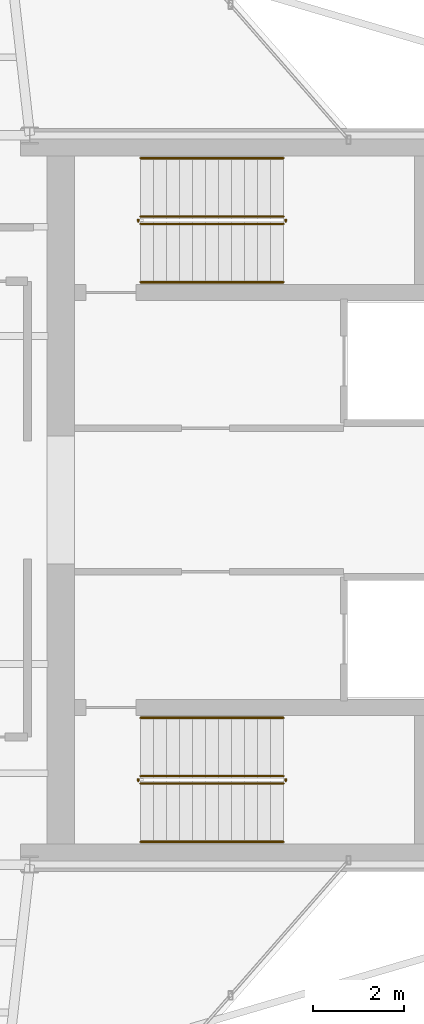
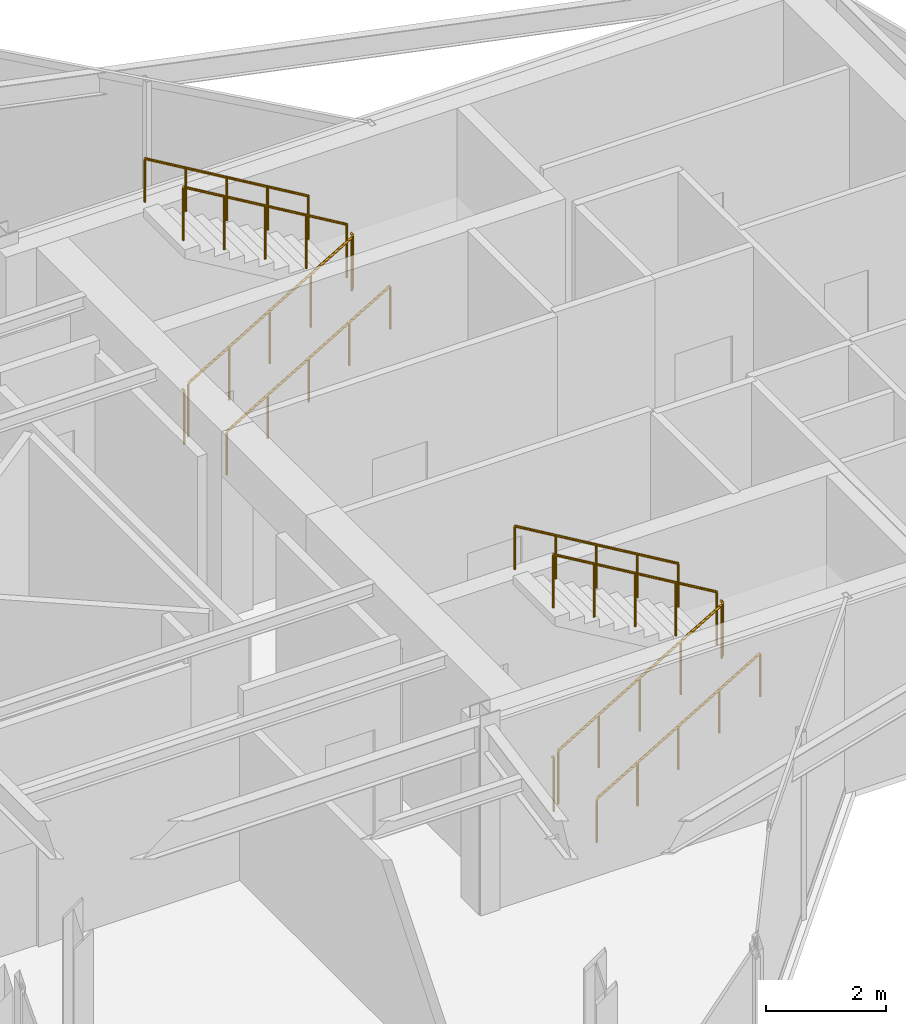
# One storey, part 15 of 15: 12 railings.
"""IFC4 building model written with IfcOpenShell, lengths in metres."""

from ifc_helpers import new_model, si_unit, direction, frame, origin, origin_2d, place, context, subcontext, project, spatial, circle, extrude, material, type_object, element, save


model = new_model("IFC4")

# Units and contexts
model_context = context("Model", 3, precision=1e-05, world=origin(), true_north=direction((0.0, 1.0)))
body_context = subcontext(model_context, "Body", "Model", "MODEL_VIEW")
ifc_project = project(units=[si_unit("LENGTHUNIT", "METRE"), si_unit("AREAUNIT", "SQUARE_METRE"), si_unit("VOLUMEUNIT", "CUBIC_METRE"), si_unit("PLANEANGLEUNIT", "RADIAN"), si_unit("MASSUNIT", "GRAM", prefix="KILO")], contexts=[model_context])

# Site, building, storey
site_placement = place(None, origin())
site = spatial("IfcSite", under=ifc_project, at=site_placement, CompositionType="ELEMENT")
building_placement = place(site_placement, origin())
building = spatial("IfcBuilding", under=site, at=building_placement, Name="Veymaron Broadcast Tower", CompositionType="ELEMENT")
storey_placement = place(building_placement, frame((0.0, 0.0, 266.85009765625)))
storey = spatial("IfcBuildingStorey", under=building, at=storey_placement, Name="L62", CompositionType="ELEMENT", Elevation=266.85009765625)

# Railings
ifc_material_1 = material(Name="Brushed stainless steel AISI 304", Category="steel")
railing_type_1 = type_object("IfcRailingType", Name="RAIL-STAIR-HR", PredefinedType="HANDRAIL", material=ifc_material_1)
railing_1_placement = place(storey_placement, frame((41.429931640625, 28.780029296875, 0.168701171875)))
element("IfcRailing", 1, at=railing_1_placement, inside=storey, type_object=railing_type_1, Name="L62 ST1 stair handrail 1", PredefinedType="HANDRAIL", context=body_context, shape_type="SweptSolid", body=[
    extrude(circle(Radius=0.02392578125, at=origin_2d()), frame((0.0, 0.0, 0.8759765625), z_axis=(0.860481960309, 0.0, 0.509480908359), x_axis=(0.0, 1.0, 0.0)), (0.0, 0.0, 1.0), 3.643310546875),
    extrude(circle(Radius=0.02099609375, at=origin_2d()), origin(), (0.0, 0.0, 1.0), 0.851806640625),
    extrude(circle(Radius=0.02099609375, at=origin_2d()), frame((0.78369140625, 0.0, 0.464111328125)), (0.0, 0.0, 1.0), 0.851806640625),
    extrude(circle(Radius=0.02099609375, at=origin_2d()), frame((1.5673828125, 0.0, 0.92822265625)), (0.0, 0.0, 1.0), 0.851806640625),
    extrude(circle(Radius=0.02099609375, at=origin_2d()), frame((2.351318359375, 0.0, 1.39208984375)), (0.0, 0.0, 1.0), 0.851806640625),
    extrude(circle(Radius=0.02099609375, at=origin_2d()), frame((3.135009765625, 0.0, 1.856201171875)), (0.0, 0.0, 1.0), 0.851806640625),
])
railing_2_placement = place(storey_placement, frame((44.56494140625, 31.5, 2.193603515625)))
element("IfcRailing", 2, at=railing_2_placement, inside=storey, type_object=railing_type_1, Name="L62 ST1 stair handrail 2", PredefinedType="HANDRAIL", context=body_context, shape_type="SweptSolid", body=[
    extrude(circle(Radius=0.02392578125, at=origin_2d()), frame((0.0, 0.0, 0.8759765625), z_axis=(-0.860481960309, 0.0, 0.509480908359), x_axis=(0.0, -1.0, 0.0)), (0.0, 0.0, 1.0), 3.643310546875),
    extrude(circle(Radius=0.02099609375, at=origin_2d()), origin(), (0.0, 0.0, 1.0), 0.851806640625),
    extrude(circle(Radius=0.02099609375, at=origin_2d()), frame((-0.78369140625, 0.0, 0.464111328125)), (0.0, 0.0, 1.0), 0.851806640625),
    extrude(circle(Radius=0.02099609375, at=origin_2d()), frame((-1.5673828125, 0.0, 0.92822265625)), (0.0, 0.0, 1.0), 0.851806640625),
    extrude(circle(Radius=0.02099609375, at=origin_2d()), frame((-2.351318359375, 0.0, 1.39208984375)), (0.0, 0.0, 1.0), 0.851806640625),
    extrude(circle(Radius=0.02099609375, at=origin_2d()), frame((-3.135009765625, 0.0, 1.856201171875)), (0.0, 0.0, 1.0), 0.851806640625),
])
railing_3_placement = place(storey_placement, frame((41.429931640625, 16.5, 0.168701171875)))
element("IfcRailing", 3, at=railing_3_placement, inside=storey, type_object=railing_type_1, Name="L62 ST2 stair handrail 1", PredefinedType="HANDRAIL", context=body_context, shape_type="SweptSolid", body=[
    extrude(circle(Radius=0.02392578125, at=origin_2d()), frame((0.0, 0.0, 0.8759765625), z_axis=(0.860481960309, 0.0, 0.509480908359), x_axis=(0.0, 1.0, 0.0)), (0.0, 0.0, 1.0), 3.643310546875),
    extrude(circle(Radius=0.02099609375, at=origin_2d()), origin(), (0.0, 0.0, 1.0), 0.851806640625),
    extrude(circle(Radius=0.02099609375, at=origin_2d()), frame((0.78369140625, 0.0, 0.464111328125)), (0.0, 0.0, 1.0), 0.851806640625),
    extrude(circle(Radius=0.02099609375, at=origin_2d()), frame((1.5673828125, 0.0, 0.92822265625)), (0.0, 0.0, 1.0), 0.851806640625),
    extrude(circle(Radius=0.02099609375, at=origin_2d()), frame((2.351318359375, 0.0, 1.39208984375)), (0.0, 0.0, 1.0), 0.851806640625),
    extrude(circle(Radius=0.02099609375, at=origin_2d()), frame((3.135009765625, 0.0, 1.856201171875)), (0.0, 0.0, 1.0), 0.851806640625),
])
railing_4_placement = place(storey_placement, frame((44.56494140625, 19.219970703125, 2.193603515625)))
element("IfcRailing", 4, at=railing_4_placement, inside=storey, type_object=railing_type_1, Name="L62 ST2 stair handrail 2", PredefinedType="HANDRAIL", context=body_context, shape_type="SweptSolid", body=[
    extrude(circle(Radius=0.02392578125, at=origin_2d()), frame((0.0, 0.0, 0.8759765625), z_axis=(-0.860481960309, 0.0, 0.509480908359), x_axis=(0.0, -1.0, 0.0)), (0.0, 0.0, 1.0), 3.643310546875),
    extrude(circle(Radius=0.02099609375, at=origin_2d()), origin(), (0.0, 0.0, 1.0), 0.851806640625),
    extrude(circle(Radius=0.02099609375, at=origin_2d()), frame((-0.78369140625, 0.0, 0.464111328125)), (0.0, 0.0, 1.0), 0.851806640625),
    extrude(circle(Radius=0.02099609375, at=origin_2d()), frame((-1.5673828125, 0.0, 0.92822265625)), (0.0, 0.0, 1.0), 0.851806640625),
    extrude(circle(Radius=0.02099609375, at=origin_2d()), frame((-2.351318359375, 0.0, 1.39208984375)), (0.0, 0.0, 1.0), 0.851806640625),
    extrude(circle(Radius=0.02099609375, at=origin_2d()), frame((-3.135009765625, 0.0, 1.856201171875)), (0.0, 0.0, 1.0), 0.851806640625),
])
ifc_material_2 = material(Name="Painted galvanized steel balustrade", Category="steel")
railing_type_2 = type_object("IfcRailingType", Name="RAIL-WELL-GRD", PredefinedType="GUARDRAIL", material=ifc_material_2)
railing_5_placement = place(storey_placement, frame((41.429931640625, 30.06005859375, 0.168701171875)))
element("IfcRailing", 5, at=railing_5_placement, inside=storey, type_object=railing_type_2, Name="L62 ST1 stair guard 1", PredefinedType="GUARDRAIL", context=body_context, shape_type="SweptSolid", body=[
    extrude(circle(Radius=0.02392578125, at=origin_2d()), frame((0.0, 0.0, 1.076171875), z_axis=(0.860481960309, 0.0, 0.509480908359), x_axis=(0.0, 1.0, 0.0)), (0.0, 0.0, 1.0), 3.643310546875),
    extrude(circle(Radius=0.02099609375, at=origin_2d()), origin(), (0.0, 0.0, 1.0), 1.052001953125),
    extrude(circle(Radius=0.02099609375, at=origin_2d()), frame((0.78369140625, 0.0, 0.464111328125)), (0.0, 0.0, 1.0), 1.052001953125),
    extrude(circle(Radius=0.02099609375, at=origin_2d()), frame((1.5673828125, 0.0, 0.92822265625)), (0.0, 0.0, 1.0), 1.052001953125),
    extrude(circle(Radius=0.02099609375, at=origin_2d()), frame((2.351318359375, 0.0, 1.39208984375)), (0.0, 0.0, 1.0), 1.052001953125),
    extrude(circle(Radius=0.02099609375, at=origin_2d()), frame((3.135009765625, 0.0, 1.856201171875)), (0.0, 0.0, 1.0), 1.052001953125),
])
railing_6_placement = place(storey_placement, frame((44.614990234375, 30.110107421875, 2.02490234375)))
element("IfcRailing", 6, at=railing_6_placement, inside=storey, type_object=railing_type_2, Name="L62 ST1 stair guard 2", PredefinedType="GUARDRAIL", context=body_context, shape_type="SweptSolid", body=[
    extrude(circle(Radius=0.02392578125, at=origin_2d()), frame((0.0, 0.0, 1.076171875), z_axis=(0.0, 1.0, 0.0), x_axis=(-1.0, 0.0, 0.0)), (0.0, 0.0, 1.0), 0.059814453125),
    extrude(circle(Radius=0.02099609375, at=origin_2d()), origin(), (0.0, 0.0, 1.0), 1.052001953125),
])
railing_7_placement = place(storey_placement, frame((44.56494140625, 30.219970703125, 2.193603515625)))
element("IfcRailing", 7, at=railing_7_placement, inside=storey, type_object=railing_type_2, Name="L62 ST1 stair guard 3", PredefinedType="GUARDRAIL", context=body_context, shape_type="SweptSolid", body=[
    extrude(circle(Radius=0.02392578125, at=origin_2d()), frame((0.0, 0.0, 1.076171875), z_axis=(-0.860481960309, 0.0, 0.509480908359), x_axis=(0.0, -1.0, 0.0)), (0.0, 0.0, 1.0), 3.643310546875),
    extrude(circle(Radius=0.02099609375, at=origin_2d()), origin(), (0.0, 0.0, 1.0), 1.052001953125),
    extrude(circle(Radius=0.02099609375, at=origin_2d()), frame((-0.78369140625, 0.0, 0.464111328125)), (0.0, 0.0, 1.0), 1.052001953125),
    extrude(circle(Radius=0.02099609375, at=origin_2d()), frame((-1.5673828125, 0.0, 0.92822265625)), (0.0, 0.0, 1.0), 1.052001953125),
    extrude(circle(Radius=0.02099609375, at=origin_2d()), frame((-2.351318359375, 0.0, 1.39208984375)), (0.0, 0.0, 1.0), 1.052001953125),
    extrude(circle(Radius=0.02099609375, at=origin_2d()), frame((-3.135009765625, 0.0, 1.856201171875)), (0.0, 0.0, 1.0), 1.052001953125),
])
railing_8_placement = place(storey_placement, frame((41.3798828125, 30.110107421875, 0.0)))
element("IfcRailing", 8, at=railing_8_placement, inside=storey, type_object=railing_type_2, Name="L62 ST1 stair guard 4", PredefinedType="GUARDRAIL", context=body_context, shape_type="SweptSolid", body=[
    extrude(circle(Radius=0.02392578125, at=origin_2d()), frame((0.0, 0.0, 1.076171875), z_axis=(0.0, 1.0, 0.0), x_axis=(-1.0, 0.0, 0.0)), (0.0, 0.0, 1.0), 0.059814453125),
    extrude(circle(Radius=0.02099609375, at=origin_2d()), origin(), (0.0, 0.0, 1.0), 1.052001953125),
])
railing_9_placement = place(storey_placement, frame((41.429931640625, 17.780029296875, 0.168701171875)))
element("IfcRailing", 9, at=railing_9_placement, inside=storey, type_object=railing_type_2, Name="L62 ST2 stair guard 1", PredefinedType="GUARDRAIL", context=body_context, shape_type="SweptSolid", body=[
    extrude(circle(Radius=0.02392578125, at=origin_2d()), frame((0.0, 0.0, 1.076171875), z_axis=(0.860481960309, 0.0, 0.509480908359), x_axis=(0.0, 1.0, 0.0)), (0.0, 0.0, 1.0), 3.643310546875),
    extrude(circle(Radius=0.02099609375, at=origin_2d()), origin(), (0.0, 0.0, 1.0), 1.052001953125),
    extrude(circle(Radius=0.02099609375, at=origin_2d()), frame((0.78369140625, 0.0, 0.464111328125)), (0.0, 0.0, 1.0), 1.052001953125),
    extrude(circle(Radius=0.02099609375, at=origin_2d()), frame((1.5673828125, 0.0, 0.92822265625)), (0.0, 0.0, 1.0), 1.052001953125),
    extrude(circle(Radius=0.02099609375, at=origin_2d()), frame((2.351318359375, 0.0, 1.39208984375)), (0.0, 0.0, 1.0), 1.052001953125),
    extrude(circle(Radius=0.02099609375, at=origin_2d()), frame((3.135009765625, 0.0, 1.856201171875)), (0.0, 0.0, 1.0), 1.052001953125),
])
railing_10_placement = place(storey_placement, frame((44.614990234375, 17.830078125, 2.02490234375)))
element("IfcRailing", 10, at=railing_10_placement, inside=storey, type_object=railing_type_2, Name="L62 ST2 stair guard 2", PredefinedType="GUARDRAIL", context=body_context, shape_type="SweptSolid", body=[
    extrude(circle(Radius=0.02392578125, at=origin_2d()), frame((0.0, 0.0, 1.076171875), z_axis=(0.0, 1.0, 0.0), x_axis=(-1.0, 0.0, 0.0)), (0.0, 0.0, 1.0), 0.059814453125),
    extrude(circle(Radius=0.02099609375, at=origin_2d()), origin(), (0.0, 0.0, 1.0), 1.052001953125),
])
railing_11_placement = place(storey_placement, frame((44.56494140625, 17.93994140625, 2.193603515625)))
element("IfcRailing", 11, at=railing_11_placement, inside=storey, type_object=railing_type_2, Name="L62 ST2 stair guard 3", PredefinedType="GUARDRAIL", context=body_context, shape_type="SweptSolid", body=[
    extrude(circle(Radius=0.02392578125, at=origin_2d()), frame((0.0, 0.0, 1.076171875), z_axis=(-0.860481960309, 0.0, 0.509480908359), x_axis=(0.0, -1.0, 0.0)), (0.0, 0.0, 1.0), 3.643310546875),
    extrude(circle(Radius=0.02099609375, at=origin_2d()), origin(), (0.0, 0.0, 1.0), 1.052001953125),
    extrude(circle(Radius=0.02099609375, at=origin_2d()), frame((-0.78369140625, 0.0, 0.464111328125)), (0.0, 0.0, 1.0), 1.052001953125),
    extrude(circle(Radius=0.02099609375, at=origin_2d()), frame((-1.5673828125, 0.0, 0.92822265625)), (0.0, 0.0, 1.0), 1.052001953125),
    extrude(circle(Radius=0.02099609375, at=origin_2d()), frame((-2.351318359375, 0.0, 1.39208984375)), (0.0, 0.0, 1.0), 1.052001953125),
    extrude(circle(Radius=0.02099609375, at=origin_2d()), frame((-3.135009765625, 0.0, 1.856201171875)), (0.0, 0.0, 1.0), 1.052001953125),
])
railing_12_placement = place(storey_placement, frame((41.3798828125, 17.830078125, 0.0)))
element("IfcRailing", 12, at=railing_12_placement, inside=storey, type_object=railing_type_2, Name="L62 ST2 stair guard 4", PredefinedType="GUARDRAIL", context=body_context, shape_type="SweptSolid", body=[
    extrude(circle(Radius=0.02392578125, at=origin_2d()), frame((0.0, 0.0, 1.076171875), z_axis=(0.0, 1.0, 0.0), x_axis=(-1.0, 0.0, 0.0)), (0.0, 0.0, 1.0), 0.059814453125),
    extrude(circle(Radius=0.02099609375, at=origin_2d()), origin(), (0.0, 0.0, 1.0), 1.052001953125),
])

save(model, "model.ifc")
